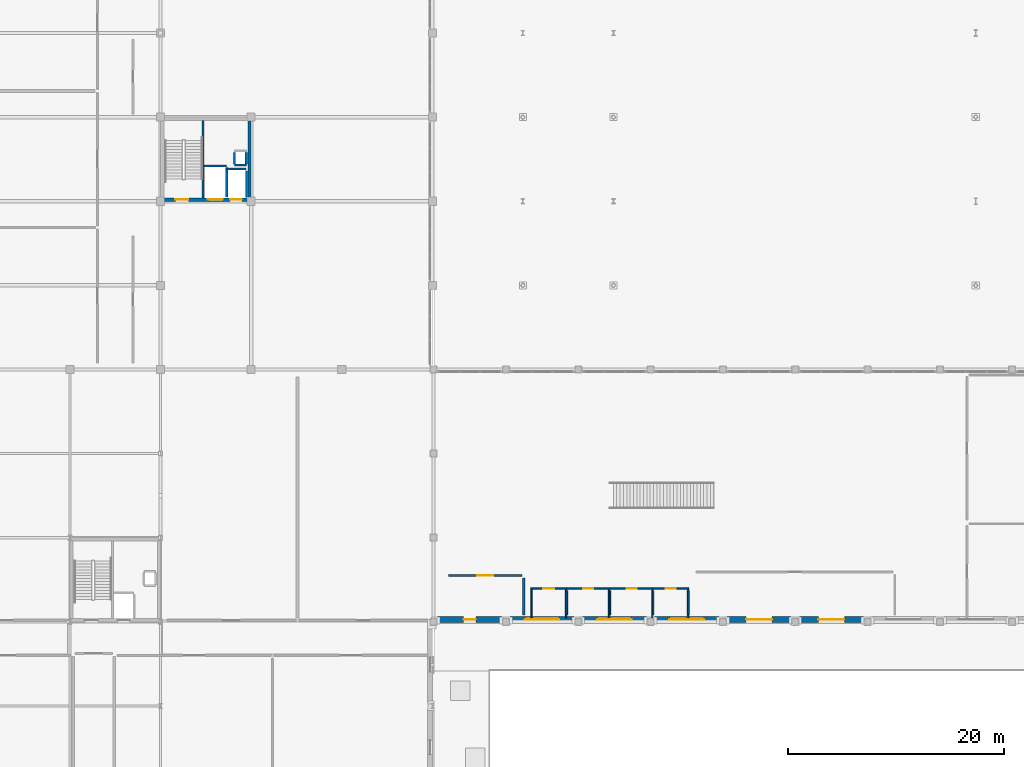
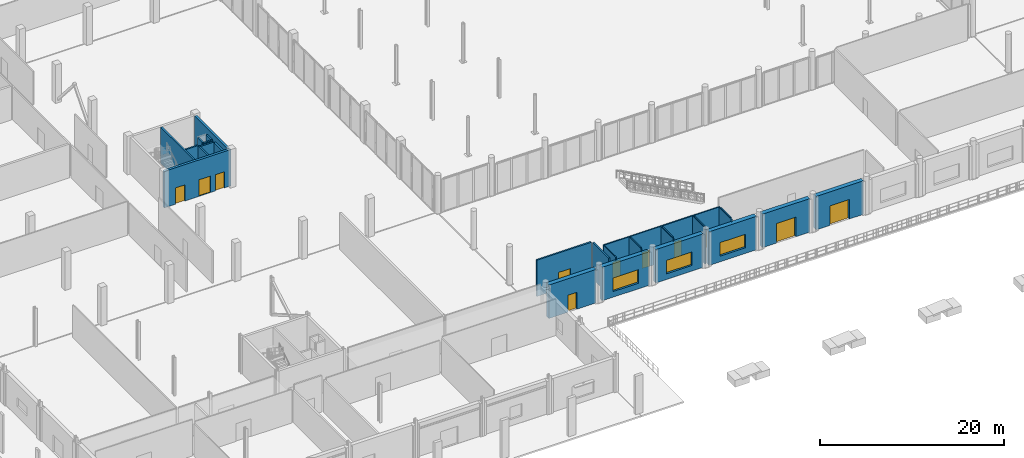
# One storey, part 48 of 80: 31 walls, 11 doors, 3 windows, 14 openings.
"""IFC4 building model written with IfcOpenShell, lengths in metres."""

import ifcopenshell
import ifcopenshell.guid

model = None  # the IFC model being written
_history = None  # IfcOwnerHistory: only IFC2X3 demands one
_inside = {}  # id of a spatial element -> (the spatial element, [elements in it])
_under = {}  # id of a project, library or spatial element -> (it, [spatial elements below it])
_declared = {}  # id of a project -> (the project, [libraries it declares])
_typed = {}  # id of a type object -> (the type object, [elements of that type])
_made_of = {}  # id of a material, layer set ... -> (it, [elements and type objects made of it])


def new_model(schema):
    """Start an empty IFC model of exactly this schema.

    Asked for "IFC4X3", IfcOpenShell would pick the latest addendum, in which some entities
    have other attributes; the version numbers below select the first issue.
    IFC2X3 requires an IfcOwnerHistory on every rooted entity: one is made here for all.
    """
    global model, _history
    if schema == "IFC4X3":
        model = ifcopenshell.file(schema_version=(4, 3, 0, 0))
    else:
        model = ifcopenshell.file(schema=schema)
    _inside.clear()
    _under.clear()
    _declared.clear()
    _typed.clear()
    _made_of.clear()
    _history = None
    if model.schema == "IFC2X3":
        org = make("IfcOrganization", Name="unknown")
        user = make(
            "IfcPersonAndOrganization",
            ThePerson=make("IfcPerson", FamilyName="unknown"),
            TheOrganization=org,
        )
        app = make(
            "IfcApplication",
            ApplicationDeveloper=org,
            Version="unknown",
            ApplicationFullName="unknown",
            ApplicationIdentifier="unknown",
        )
        _history = make(
            "IfcOwnerHistory",
            OwningUser=user,
            OwningApplication=app,
            ChangeAction="ADDED",
            CreationDate=0,
        )
    return model


def make(cls, **values):
    """One entity of the class cls with the attributes given. An attribute that is None is left unset."""
    return model.create_entity(
        cls, **{name: value for name, value in values.items() if value is not None}
    )


def rooted(cls, **values):
    """An entity with a GlobalId (a new one), such as an element, a storey or a relation."""
    return make(cls, GlobalId=ifcopenshell.guid.new(), OwnerHistory=_history, **values)


def si_unit(unit_type, name, prefix=None):
    """IfcSIUnit, for example si_unit("LENGTHUNIT", "METRE", prefix="MILLI")."""
    return make("IfcSIUnit", UnitType=unit_type, Prefix=prefix, Name=name)


def assignment(units):
    """IfcUnitAssignment: the units of a project."""
    return None if units is None else make("IfcUnitAssignment", Units=units)


def point(xyz):
    """IfcCartesianPoint."""
    return None if xyz is None else make("IfcCartesianPoint", Coordinates=xyz)


def direction(xyz):
    """IfcDirection."""
    return None if xyz is None else make("IfcDirection", DirectionRatios=xyz)


def frame(location, z_axis=None, x_axis=None):
    """IfcAxis2Placement3D, a coordinate frame: its origin and axes. An axis left out is left unset."""
    return make(
        "IfcAxis2Placement3D",
        Location=point(location),
        Axis=direction(z_axis),
        RefDirection=direction(x_axis),
    )


def frame_2d(location, x_axis=None):
    """IfcAxis2Placement2D, a coordinate frame in the plane: its origin and x axis."""
    return make(
        "IfcAxis2Placement2D", Location=point(location), RefDirection=direction(x_axis)
    )


def origin():
    """The frame at (0, 0, 0) with its axes left unset."""
    return frame((0.0, 0.0, 0.0))


def place(relative_to, where):
    """IfcLocalPlacement: puts the frame where relative to a parent placement (None: the world)."""
    return make(
        "IfcLocalPlacement", PlacementRelTo=relative_to, RelativePlacement=where
    )


def context(
    kind, dimensions, precision=None, world=None, true_north=None, identifier=None
):
    """IfcGeometricRepresentationContext, for example the 3D "Model" context."""
    return make(
        "IfcGeometricRepresentationContext",
        ContextIdentifier=identifier,
        ContextType=kind,
        CoordinateSpaceDimension=dimensions,
        Precision=precision,
        WorldCoordinateSystem=world,
        TrueNorth=true_north,
    )


def subcontext(parent, identifier, kind, view, scale=None):
    """IfcGeometricRepresentationSubContext, for example "Body" below "Model"."""
    return make(
        "IfcGeometricRepresentationSubContext",
        ContextIdentifier=identifier,
        ContextType=kind,
        ParentContext=parent,
        TargetScale=scale,
        TargetView=view,
    )


def project(units=None, contexts=None):
    """IfcProject with its units and contexts."""
    return rooted(
        "IfcProject",
        Name="project",
        RepresentationContexts=contexts,
        UnitsInContext=assignment(units),
    )


def spatial(cls, under=None, at=None, **own):
    """A site, building, storey or space (cls), placed at a placement, below another one or the project."""
    s = rooted(cls, ObjectPlacement=at, **own)
    if under is not None:
        _under.setdefault(under.id(), (under, []))[1].append(s)
    return s


def profile(cls, at=None, kind="AREA", **sizes):
    """A parametric profile (cls). Its sizes go by their IFC names, for example OverallWidth=200.0."""
    return make(cls, ProfileType=kind, Position=at, **sizes)


def rectangle(**sizes):
    """IfcRectangleProfileDef."""
    return profile("IfcRectangleProfileDef", **sizes)


def extrude(swept, where, along, depth):
    """IfcExtrudedAreaSolid: the profile swept, set in the frame where, extruded along a direction by depth."""
    return make(
        "IfcExtrudedAreaSolid",
        SweptArea=swept,
        Position=where,
        ExtrudedDirection=direction(along),
        Depth=depth,
    )


def shape(context_of_items, identifier, shape_type, items):
    """IfcShapeRepresentation: the items that make up one representation, for example the "Body"."""
    return make(
        "IfcShapeRepresentation",
        ContextOfItems=context_of_items,
        RepresentationIdentifier=identifier,
        RepresentationType=shape_type,
        Items=items,
    )


def material(Name=None, Category=None):
    """IfcMaterial."""
    return make("IfcMaterial", Name=Name, Category=Category)


def layer(
    of_material, thickness, ventilated=None, Name=None, Category=None, Priority=None
):
    """IfcMaterialLayer: one layer of a wall or slab, of a material (None: an air gap)."""
    return make(
        "IfcMaterialLayer",
        Material=of_material,
        LayerThickness=thickness,
        IsVentilated=ventilated,
        Name=Name,
        Category=Category,
        Priority=Priority,
    )


def layer_set(layers, Name=None):
    """IfcMaterialLayerSet."""
    return make("IfcMaterialLayerSet", MaterialLayers=layers, LayerSetName=Name)


def made_of(thing, what):
    """Note that an element or type object is made of a material, layer set ...; save() writes the relation."""
    if what is not None:
        _made_of.setdefault(what.id(), (what, []))[1].append(thing)
    return thing


def type_object(cls, material=None, **own):
    """A type object (cls), such as IfcWallType, which elements share."""
    return made_of(rooted(cls, **own), material)


def element(
    cls,
    number,
    at=None,
    inside=None,
    cuts=None,
    type_object=None,
    material=None,
    context=None,
    identifier="Body",
    shape_type=None,
    held_by="IfcProductDefinitionShape",
    body=None,
    shapes=None,
    **own,
):
    """One element of the class cls, such as IfcWall. Its Tag is "e" and its number.

    at: its placement. inside: the storey or other place that contains it. cuts: it is an
    opening in that element (IfcRelVoidsElement). A single representation is given by context,
    identifier, shape_type and body (its items); several are given by shapes. held_by: the class
    of the entity that holds the representations. save() writes the other relations.
    """
    e = rooted(cls, Tag="e%d" % number, ObjectPlacement=at, **own)
    if body is not None:
        shapes = [shape(context, identifier, shape_type, body)]
    if shapes is not None:
        e.Representation = make(held_by, Representations=shapes)
    if inside is not None:
        _inside.setdefault(inside.id(), (inside, []))[1].append(e)
    if cuts is not None:
        rooted(
            "IfcRelVoidsElement", RelatingBuildingElement=cuts, RelatedOpeningElement=e
        )
    if type_object is not None:
        _typed.setdefault(type_object.id(), (type_object, []))[1].append(e)
    return made_of(e, material)


def fill(opening, filler):
    """IfcRelFillsElement: the door or window that sits in an opening."""
    return rooted(
        "IfcRelFillsElement",
        RelatingOpeningElement=opening,
        RelatedBuildingElement=filler,
    )


def aggregate(whole, parts):
    """IfcRelAggregates: a whole, such as a stair, and the parts it consists of."""
    return rooted("IfcRelAggregates", RelatingObject=whole, RelatedObjects=parts)


def save(model, path):
    """Write the relations noted so far, then the file.

    IfcRelAggregates (storeys below a building ...), IfcRelContainedInSpatialStructure (elements
    in a storey), IfcRelDefinesByType, IfcRelAssociatesMaterial and IfcRelDeclares: one each for
    every whole, place, type object, material and project.
    """
    for whole, parts in _under.values():
        aggregate(whole, parts)
    for where, things in _inside.values():
        rooted(
            "IfcRelContainedInSpatialStructure",
            RelatedElements=things,
            RelatingStructure=where,
        )
    for kind, things in _typed.values():
        rooted("IfcRelDefinesByType", RelatedObjects=things, RelatingType=kind)
    for what, things in _made_of.values():
        rooted("IfcRelAssociatesMaterial", RelatedObjects=things, RelatingMaterial=what)
    for by, libraries in _declared.values():
        rooted("IfcRelDeclares", RelatingContext=by, RelatedDefinitions=libraries)
    model.write(path)


model = new_model("IFC4")

# Units and contexts
model_context = context("Model", 3, precision=1e-05, world=origin(), true_north=direction((0.0, 1.0)))
body_context = subcontext(model_context, "Body", "Model", "MODEL_VIEW")
ifc_project = project(units=[si_unit("LENGTHUNIT", "METRE"), si_unit("AREAUNIT", "SQUARE_METRE"), si_unit("VOLUMEUNIT", "CUBIC_METRE"), si_unit("PLANEANGLEUNIT", "RADIAN"), si_unit("MASSUNIT", "GRAM", prefix="KILO")], contexts=[model_context])

# Site, building, storey
site_placement = place(None, origin())
site = spatial("IfcSite", under=ifc_project, at=site_placement, CompositionType="ELEMENT")
building_placement = place(site_placement, origin())
building = spatial("IfcBuilding", under=site, at=building_placement, Name="Nabrawat Pavilion Hospital", CompositionType="ELEMENT")
storey_placement = place(building_placement, origin())
storey = spatial("IfcBuildingStorey", under=building, at=storey_placement, Name="L00", CompositionType="ELEMENT", Elevation=0.0)

# Wall, opening, door
ifc_material_1 = material(Name="Gypsum Fireboard on Steel Stud", Category="steel")
ifc_layer_1 = layer(ifc_material_1, 0.14990234375, Name="Gypsum Fireboard on Steel Stud")
ifc_layer_set_1 = layer_set([ifc_layer_1], Name="Gypsum Fireboard on Steel Stud")
wall_type_1 = type_object("IfcWallType", Name="Clinical Corridor Smoke-Barrier Wall 150", PredefinedType="PARTITIONING", material=ifc_layer_set_1)
wall_1_placement = place(storey_placement, frame((67.93505859375, 18.699951171875, 0.0), z_axis=(0.0, 0.0, 1.0), x_axis=(1.0, 0.0, 0.0)))
wall_1 = element("IfcWall", 1, at=wall_1_placement, inside=storey, type_object=wall_type_1, Name="L00 L00 Accessible WC Front Partition", PredefinedType="PARTITIONING", context=body_context, shape_type="SweptSolid", body=[
    extrude(rectangle(XDim=3.329833984375, YDim=0.14990234375, at=frame_2d((1.6650390625, 0.0))), origin(), (0.0, 0.0, 1.0), 4.820068359375),
])
opening_1_placement = place(wall_1_placement, frame((1.1650390625, 0.0, 0.0)))
opening_1 = element("IfcOpeningElement", 2, at=opening_1_placement, cuts=wall_1, Name="Opening D-WC-ACC", PredefinedType="OPENING", context=body_context, shape_type="SweptSolid", body=[
    extrude(rectangle(XDim=1.0, YDim=2.14990234375, at=frame_2d((0.5, 1.074951171875))), frame((0.0, 0.0849609375, 0.0), z_axis=(0.0, -1.0, 0.0), x_axis=(1.0, 0.0, 0.0)), (0.0, 0.0, 1.0), 0.169921875),
])
ifc_material_2 = material(Name="Stainless-Clad Acoustic Timber and Vision Glass", Category="wood")
door_type_1 = type_object("IfcDoorType", Name="Accessible Washroom Outward Door 1000x2150", OperationType="NOTDEFINED", PredefinedType="DOOR", material=ifc_material_2)
door_1_placement = place(opening_1_placement, origin())
door_1 = element("IfcDoor", 3, at=door_1_placement, inside=storey, type_object=door_type_1, Name="L00 Accessible WC Door", OperationType="SINGLE_SWING_LEFT", OverallHeight=2.14990234375, OverallWidth=1.0, PredefinedType="DOOR", context=body_context, shape_type="SweptSolid", body=[
    extrude(rectangle(XDim=1.0, YDim=2.14990234375, at=frame_2d((0.5, 1.074951171875))), frame((0.0, 0.02490234375, 0.0), z_axis=(0.0, -1.0, 0.0), x_axis=(1.0, 0.0, 0.0)), (0.0, 0.0, 1.0), 0.050048828125),
])
fill(opening_1, door_1)

wall_2_placement = place(storey_placement, frame((71.294921875, 18.699951171875, 0.0), z_axis=(0.0, 0.0, 1.0), x_axis=(1.0, 0.0, 0.0)))
wall_2 = element("IfcWall", 4, at=wall_2_placement, inside=storey, type_object=wall_type_1, Name="L00 L00 Visitor Female Washroom Front Partition", PredefinedType="PARTITIONING", context=body_context, shape_type="SweptSolid", body=[
    extrude(rectangle(XDim=3.969970703125, YDim=0.14990234375, at=frame_2d((1.98486328125, 0.0))), origin(), (0.0, 0.0, 1.0), 4.820068359375),
])
opening_2_placement = place(wall_2_placement, frame((1.52490234375, 0.0, 0.0)))
opening_2 = element("IfcOpeningElement", 5, at=opening_2_placement, cuts=wall_2, Name="Opening D-WC-STD", PredefinedType="OPENING", context=body_context, shape_type="SweptSolid", body=[
    extrude(rectangle(XDim=0.919921875, YDim=2.14990234375, at=frame_2d((0.4599609375, 1.074951171875))), frame((0.0, 0.0849609375, 0.0), z_axis=(0.0, -1.0, 0.0), x_axis=(1.0, 0.0, 0.0)), (0.0, 0.0, 1.0), 0.169921875),
])
door_type_2 = type_object("IfcDoorType", Name="Washroom Lobby Privacy Door 920x2150", OperationType="NOTDEFINED", PredefinedType="DOOR", material=ifc_material_2)
door_2_placement = place(opening_2_placement, origin())
door_2 = element("IfcDoor", 6, at=door_2_placement, inside=storey, type_object=door_type_2, Name="L00 Visitor Female Washroom Door", OperationType="SINGLE_SWING_RIGHT", OverallHeight=2.14990234375, OverallWidth=0.919921875, PredefinedType="DOOR", context=body_context, shape_type="SweptSolid", body=[
    extrude(rectangle(XDim=0.919921875, YDim=2.14990234375, at=frame_2d((0.4599609375, 1.074951171875))), frame((0.0, 0.02490234375, 0.0), z_axis=(0.0, -1.0, 0.0), x_axis=(1.0, 0.0, 0.0)), (0.0, 0.0, 1.0), 0.050048828125),
])
fill(opening_2, door_2)

wall_3_placement = place(storey_placement, frame((75.294921875, 18.699951171875, 0.0), z_axis=(0.0, 0.0, 1.0), x_axis=(1.0, 0.0, 0.0)))
wall_3 = element("IfcWall", 7, at=wall_3_placement, inside=storey, type_object=wall_type_1, Name="L00 L00 Visitor Male Washroom Front Partition", PredefinedType="PARTITIONING", context=body_context, shape_type="SweptSolid", body=[
    extrude(rectangle(XDim=3.969970703125, YDim=0.14990234375, at=frame_2d((1.98486328125, 0.0))), origin(), (0.0, 0.0, 1.0), 4.820068359375),
])
opening_3_placement = place(wall_3_placement, frame((1.52490234375, 0.0, 0.0)))
opening_3 = element("IfcOpeningElement", 8, at=opening_3_placement, cuts=wall_3, Name="Opening D-WC-STD", PredefinedType="OPENING", context=body_context, shape_type="SweptSolid", body=[
    extrude(rectangle(XDim=0.919921875, YDim=2.14990234375, at=frame_2d((0.4599609375, 1.074951171875))), frame((0.0, 0.0849609375, 0.0), z_axis=(0.0, -1.0, 0.0), x_axis=(1.0, 0.0, 0.0)), (0.0, 0.0, 1.0), 0.169921875),
])
door_3_placement = place(opening_3_placement, origin())
door_3 = element("IfcDoor", 9, at=door_3_placement, inside=storey, type_object=door_type_2, Name="L00 Visitor Male Washroom Door", OperationType="SINGLE_SWING_LEFT", OverallHeight=2.14990234375, OverallWidth=0.919921875, PredefinedType="DOOR", context=body_context, shape_type="SweptSolid", body=[
    extrude(rectangle(XDim=0.919921875, YDim=2.14990234375, at=frame_2d((0.4599609375, 1.074951171875))), frame((0.0, 0.02490234375, 0.0), z_axis=(0.0, -1.0, 0.0), x_axis=(1.0, 0.0, 0.0)), (0.0, 0.0, 1.0), 0.050048828125),
])
fill(opening_3, door_3)

wall_4_placement = place(storey_placement, frame((79.294921875, 18.699951171875, 0.0), z_axis=(0.0, 0.0, 1.0), x_axis=(1.0, 0.0, 0.0)))
wall_4 = element("IfcWall", 10, at=wall_4_placement, inside=storey, type_object=wall_type_1, Name="L00 L00 Clinical Staff WC Front Partition", PredefinedType="PARTITIONING", context=body_context, shape_type="SweptSolid", body=[
    extrude(rectangle(XDim=3.27001953125, YDim=0.14990234375, at=frame_2d((1.635009765625, 0.0))), origin(), (0.0, 0.0, 1.0), 4.820068359375),
])
opening_4_placement = place(wall_4_placement, frame((1.175048828125, 0.0, 0.0)))
opening_4 = element("IfcOpeningElement", 11, at=opening_4_placement, cuts=wall_4, Name="Opening D-WC-STD", PredefinedType="OPENING", context=body_context, shape_type="SweptSolid", body=[
    extrude(rectangle(XDim=0.919921875, YDim=2.14990234375, at=frame_2d((0.4599609375, 1.074951171875))), frame((0.0, 0.0849609375, 0.0), z_axis=(0.0, -1.0, 0.0), x_axis=(1.0, 0.0, 0.0)), (0.0, 0.0, 1.0), 0.169921875),
])
door_4_placement = place(opening_4_placement, origin())
door_4 = element("IfcDoor", 12, at=door_4_placement, inside=storey, type_object=door_type_2, Name="L00 Clinical Staff WC Door", OperationType="SINGLE_SWING_RIGHT", OverallHeight=2.14990234375, OverallWidth=0.919921875, PredefinedType="DOOR", context=body_context, shape_type="SweptSolid", body=[
    extrude(rectangle(XDim=0.919921875, YDim=2.14990234375, at=frame_2d((0.4599609375, 1.074951171875))), frame((0.0, 0.02490234375, 0.0), z_axis=(0.0, -1.0, 0.0), x_axis=(1.0, 0.0, 0.0)), (0.0, 0.0, 1.0), 0.050048828125),
])
fill(opening_4, door_4)

# Walls
ifc_material_3 = material(Name="Cement Board on Steel Stud", Category="steel")
ifc_layer_2 = layer(ifc_material_3, 0.1298828125, Name="Cement Board on Steel Stud")
ifc_layer_set_2 = layer_set([ifc_layer_2], Name="Cement Board on Steel Stud")
wall_type_2 = type_object("IfcWallType", Name="En-Suite Moisture-Resistant Partition 130", PredefinedType="PARTITIONING", material=ifc_layer_set_2)
for number, where, z_axis, x_axis, name in (
    (13, (68.0, 15.965087890625, 0.0), (0.0, 0.0, 1.0), (0.0, 1.0, 0.0), "L00 L00 Accessible WC West Partition"),
    (14, (71.199951171875, 15.965087890625, 0.0), (0.0, 0.0, 1.0), (0.0, 1.0, 0.0), "L00 L00 Accessible WC East Partition"),
):
    element("IfcWall", number, at=place(storey_placement, frame(where, z_axis=z_axis, x_axis=x_axis)), inside=storey, type_object=wall_type_2, Name=name, PredefinedType="PARTITIONING", context=body_context, shape_type="SweptSolid", body=[
        extrude(rectangle(XDim=2.669921875, YDim=0.1298828125, at=frame_2d((1.3349609375, 0.0))), origin(), (0.0, 0.0, 1.0), 4.820068359375),
    ])
wall_5_placement = place(storey_placement, frame((71.280029296875, 16.25, 0.0), z_axis=(0.0, 0.0, 1.0), x_axis=(0.0, 1.0, 0.0)))
element("IfcWall", 15, at=wall_5_placement, inside=storey, type_object=wall_type_2, Name="L00 L00 Accessible WC Dividing Partition", PredefinedType="PARTITIONING", context=body_context, shape_type="SweptSolid", body=[
    extrude(rectangle(XDim=2.22998046875, YDim=0.1298828125, at=frame_2d((1.114990234375, 0.0))), origin(), (0.0, 0.0, 1.0), 4.820068359375),
])
wall_6_placement = place(storey_placement, frame((75.199951171875, 15.965087890625, 0.0), z_axis=(0.0, 0.0, 1.0), x_axis=(0.0, 1.0, 0.0)))
element("IfcWall", 16, at=wall_6_placement, inside=storey, type_object=wall_type_2, Name="L00 L00 Visitor Female Washroom East Partition", PredefinedType="PARTITIONING", context=body_context, shape_type="SweptSolid", body=[
    extrude(rectangle(XDim=2.669921875, YDim=0.1298828125, at=frame_2d((1.3349609375, 0.0))), origin(), (0.0, 0.0, 1.0), 4.820068359375),
])
wall_7_placement = place(storey_placement, frame((75.280029296875, 16.25, 0.0), z_axis=(0.0, 0.0, 1.0), x_axis=(0.0, 1.0, 0.0)))
element("IfcWall", 17, at=wall_7_placement, inside=storey, type_object=wall_type_2, Name="L00 L00 Visitor Female Washroom Dividing Partition", PredefinedType="PARTITIONING", context=body_context, shape_type="SweptSolid", body=[
    extrude(rectangle(XDim=2.22998046875, YDim=0.1298828125, at=frame_2d((1.114990234375, 0.0))), origin(), (0.0, 0.0, 1.0), 4.820068359375),
])
wall_8_placement = place(storey_placement, frame((79.199951171875, 15.965087890625, 0.0), z_axis=(0.0, 0.0, 1.0), x_axis=(0.0, 1.0, 0.0)))
element("IfcWall", 18, at=wall_8_placement, inside=storey, type_object=wall_type_2, Name="L00 L00 Visitor Male Washroom East Partition", PredefinedType="PARTITIONING", context=body_context, shape_type="SweptSolid", body=[
    extrude(rectangle(XDim=2.669921875, YDim=0.1298828125, at=frame_2d((1.3349609375, 0.0))), origin(), (0.0, 0.0, 1.0), 4.820068359375),
])
wall_9_placement = place(storey_placement, frame((79.280029296875, 16.25, 0.0), z_axis=(0.0, 0.0, 1.0), x_axis=(0.0, 1.0, 0.0)))
element("IfcWall", 19, at=wall_9_placement, inside=storey, type_object=wall_type_2, Name="L00 L00 Visitor Male Washroom Dividing Partition", PredefinedType="PARTITIONING", context=body_context, shape_type="SweptSolid", body=[
    extrude(rectangle(XDim=2.22998046875, YDim=0.1298828125, at=frame_2d((1.114990234375, 0.0))), origin(), (0.0, 0.0, 1.0), 4.820068359375),
])
wall_10_placement = place(storey_placement, frame((82.5, 15.965087890625, 0.0), z_axis=(0.0, 0.0, 1.0), x_axis=(0.0, 1.0, 0.0)))
element("IfcWall", 20, at=wall_10_placement, inside=storey, type_object=wall_type_2, Name="L00 L00 Clinical Staff WC East Partition", PredefinedType="PARTITIONING", context=body_context, shape_type="SweptSolid", body=[
    extrude(rectangle(XDim=2.669921875, YDim=0.1298828125, at=frame_2d((1.3349609375, 0.0))), origin(), (0.0, 0.0, 1.0), 4.820068359375),
])
wall_11_placement = place(storey_placement, frame((82.580078125, 16.25, 0.0), z_axis=(0.0, 0.0, 1.0), x_axis=(0.0, 1.0, 0.0)))
element("IfcWall", 21, at=wall_11_placement, inside=storey, type_object=wall_type_2, Name="L00 L00 Clinical Staff WC Dividing Partition", PredefinedType="PARTITIONING", context=body_context, shape_type="SweptSolid", body=[
    extrude(rectangle(XDim=2.22998046875, YDim=0.1298828125, at=frame_2d((1.114990234375, 0.0))), origin(), (0.0, 0.0, 1.0), 4.820068359375),
])

# Wall, opening, door
ifc_material_4 = material(Name="Concrete C35/45", Category="concrete")
ifc_layer_3 = layer(ifc_material_4, 0.199951171875, Name="Concrete C35/45")
ifc_layer_set_3 = layer_set([ifc_layer_3], Name="Concrete C35/45")
wall_type_3 = type_object("IfcWallType", Name="Firefighting Lobby Compartment Wall 200", PredefinedType="PARTITIONING", material=ifc_layer_set_3)
wall_12_placement = place(storey_placement, frame((60.280029296875, 19.89990234375, 0.0), z_axis=(0.0, 0.0, 1.0), x_axis=(1.0, 0.0, 0.0)))
wall_12 = element("IfcWall", 22, at=wall_12_placement, inside=storey, type_object=wall_type_3, Name="L00 Fire Command Centre Front Partition", PredefinedType="PARTITIONING", context=body_context, shape_type="SweptSolid", body=[
    extrude(rectangle(XDim=6.840087890625, YDim=0.199951171875, at=frame_2d((3.419921875, 0.0))), origin(), (0.0, 0.0, 1.0), 4.820068359375),
])
opening_5_placement = place(wall_12_placement, frame((2.669921875, 0.0, 0.0)))
opening_5 = element("IfcOpeningElement", 23, at=opening_5_placement, cuts=wall_12, Name="Opening D-PLANT", PredefinedType="OPENING", context=body_context, shape_type="SweptSolid", body=[
    extrude(rectangle(XDim=1.5, YDim=2.25, at=frame_2d((0.75, 1.125))), frame((0.0, 0.10986328125, 0.0), z_axis=(0.0, -1.0, 0.0), x_axis=(1.0, 0.0, 0.0)), (0.0, 0.0, 1.0), 0.219970703125),
])
door_type_3 = type_object("IfcDoorType", Name="D-PLANT Heavy Plant Room Steel Fire Door 1500x2250", OperationType="NOTDEFINED", PredefinedType="DOOR", material=ifc_material_2)
door_5_placement = place(opening_5_placement, origin())
door_5 = element("IfcDoor", 24, at=door_5_placement, inside=storey, type_object=door_type_3, Name="Fire Command Centre Door", OperationType="DOUBLE_DOOR_SINGLE_SWING", OverallHeight=2.25, OverallWidth=1.5, PredefinedType="DOOR", context=body_context, shape_type="SweptSolid", body=[
    extrude(rectangle(XDim=1.5, YDim=2.25, at=frame_2d((0.75, 1.125))), frame((0.0, 0.02490234375, 0.0), z_axis=(0.0, -1.0, 0.0), x_axis=(1.0, 0.0, 0.0)), (0.0, 0.0, 1.0), 0.050048828125),
])
fill(opening_5, door_5)

# Walls
wall_13_placement = place(storey_placement, frame((67.280029296875, 16.25, 0.0), z_axis=(0.0, 0.0, 1.0), x_axis=(0.0, 1.0, 0.0)))
element("IfcWall", 25, at=wall_13_placement, inside=storey, type_object=wall_type_3, Name="L00 Fire Command Centre Dividing Partition", PredefinedType="PARTITIONING", context=body_context, shape_type="SweptSolid", body=[
    extrude(rectangle(XDim=3.429931640625, YDim=0.199951171875, at=frame_2d((1.71484375, 0.0))), origin(), (0.0, 0.0, 1.0), 4.820068359375),
])
ifc_layer_4 = layer(ifc_material_4, 0.199951171875, Name="Concrete C35/45")
ifc_layer_set_4 = layer_set([ifc_layer_4], Name="Concrete C35/45")
wall_type_4 = type_object("IfcWallType", Name="Lift and Riser Fire Shaft Wall 200", PredefinedType="PARTITIONING", material=ifc_layer_set_4)
wall_14_placement = place(storey_placement, frame((37.550048828125, 54.919921875, 0.0), z_axis=(0.0, 0.0, 1.0), x_axis=(0.0, 1.0, 0.0)))
element("IfcWall", 26, at=wall_14_placement, inside=storey, type_object=wall_type_4, Name="L00 CORE-2 Stair-Lift Dividing Shear Wall", PredefinedType="SHEAR", context=body_context, shape_type="SweptSolid", body=[
    extrude(rectangle(XDim=7.16015625, YDim=0.199951171875, at=frame_2d((3.580078125, 0.0))), origin(), (0.0, 0.0, 1.0), 4.830078125),
])
wall_15_placement = place(storey_placement, frame((40.449951171875, 57.949951171875, 0.0), z_axis=(0.0, 0.0, 1.0), x_axis=(1.0, 0.0, 0.0)))
element("IfcWall", 27, at=wall_15_placement, inside=storey, type_object=wall_type_4, Name="L00 CORE-2 MEP Riser Shaft Wall S", PredefinedType="PARTITIONING", context=body_context, shape_type="SweptSolid", body=[
    extrude(rectangle(XDim=1.10009765625, YDim=0.199951171875, at=frame_2d((0.550048828125, 0.0))), origin(), (0.0, 0.0, 1.0), 4.2099609375),
])
for number, where, z_axis, x_axis, name in (
    (28, (40.449951171875, 58.070068359375, 0.0), (0.0, 0.0, 1.0), (0.0, 1.0, 0.0), "L00 CORE-2 MEP Riser Shaft Wall W"),
    (29, (41.550048828125, 58.070068359375, 0.0), (0.0, 0.0, 1.0), (0.0, 1.0, 0.0), "L00 CORE-2 MEP Riser Shaft Wall E"),
):
    element("IfcWall", number, at=place(storey_placement, frame(where, z_axis=z_axis, x_axis=x_axis)), inside=storey, type_object=wall_type_4, Name=name, PredefinedType="PARTITIONING", context=body_context, shape_type="SweptSolid", body=[
        extrude(rectangle(XDim=1.059814453125, YDim=0.199951171875, at=frame_2d((0.52978515625, 0.0))), origin(), (0.0, 0.0, 1.0), 4.2099609375),
    ])
wall_16_placement = place(storey_placement, frame((39.739990234375, 54.97998046875, 0.0), z_axis=(0.0, 0.0, 1.0), x_axis=(0.0, 1.0, 0.0)))
element("IfcWall", 30, at=wall_16_placement, inside=storey, type_object=wall_type_4, Name="L00 Lift LB-01 Shaft East Wall", PredefinedType="PARTITIONING", context=body_context, shape_type="SweptSolid", body=[
    extrude(rectangle(XDim=2.739990234375, YDim=0.199951171875, at=frame_2d((1.3701171875, 0.0))), origin(), (0.0, 0.0, 1.0), 4.2099609375),
])
wall_17_placement = place(storey_placement, frame((37.64990234375, 57.8798828125, 0.0), z_axis=(0.0, 0.0, 1.0), x_axis=(1.0, 0.0, 0.0)))
element("IfcWall", 31, at=wall_17_placement, inside=storey, type_object=wall_type_4, Name="L00 Lift LB-01 Shaft Back Wall", PredefinedType="PARTITIONING", context=body_context, shape_type="SweptSolid", body=[
    extrude(rectangle(XDim=2.06005859375, YDim=0.199951171875, at=frame_2d((1.030029296875, 0.0))), origin(), (0.0, 0.0, 1.0), 4.2099609375),
])
wall_18_placement = place(storey_placement, frame((41.56005859375, 54.97998046875, 0.0), z_axis=(0.0, 0.0, 1.0), x_axis=(0.0, 1.0, 0.0)))
element("IfcWall", 32, at=wall_18_placement, inside=storey, type_object=wall_type_4, Name="L00 Lift LS-01 Shaft East Wall", PredefinedType="PARTITIONING", context=body_context, shape_type="SweptSolid", body=[
    extrude(rectangle(XDim=2.43994140625, YDim=0.199951171875, at=frame_2d((1.219970703125, 0.0))), origin(), (0.0, 0.0, 1.0), 4.2099609375),
])
wall_19_placement = place(storey_placement, frame((39.669921875, 57.580078125, 0.0), z_axis=(0.0, 0.0, 1.0), x_axis=(1.0, 0.0, 0.0)))
element("IfcWall", 33, at=wall_19_placement, inside=storey, type_object=wall_type_4, Name="L00 Lift LS-01 Shaft Back Wall", PredefinedType="PARTITIONING", context=body_context, shape_type="SweptSolid", body=[
    extrude(rectangle(XDim=1.860107421875, YDim=0.199951171875, at=frame_2d((0.93017578125, 0.0))), origin(), (0.0, 0.0, 1.0), 4.2099609375),
])

# Wall, opening, door
ifc_material_5 = material(Name="Precast concrete C40/50", Category="concrete")
ifc_layer_5 = layer(ifc_material_5, 0.5400390625, Name="Precast concrete C40/50")
ifc_layer_set_5 = layer_set([ifc_layer_5], Name="Precast concrete C40/50")
wall_type_5 = type_object("IfcWallType", Name="Podium Monumental Limestone-Clad Wall 540", PredefinedType="SOLIDWALL", material=ifc_layer_set_5)
wall_20_placement = place(storey_placement, frame((59.304931640625, 15.820068359375, 0.0), z_axis=(0.0, 0.0, 1.0), x_axis=(1.0, 0.0, 0.0)))
wall_20 = element("IfcWall", 34, at=wall_20_placement, inside=storey, type_object=wall_type_5, Name="L00 Main Concourse Limestone Portal Wall 116", PredefinedType="SOLIDWALL", context=body_context, shape_type="SweptSolid", body=[
    extrude(rectangle(XDim=5.93798828125, YDim=0.5400390625, at=frame_2d((2.968994140625, 0.0))), origin(), (0.0, 0.0, 1.0), 4.43994140625),
])
opening_6_placement = place(wall_20_placement, frame((2.39404296875, 0.0, 0.0)))
opening_6 = element("IfcOpeningElement", 35, at=opening_6_placement, cuts=wall_20, Name="Opening ED-FCC-115", PredefinedType="OPENING", context=body_context, shape_type="SweptSolid", body=[
    extrude(rectangle(XDim=1.14990234375, YDim=2.25, at=frame_2d((0.574951171875, 1.125))), frame((0.0, 0.280029296875, 0.0), z_axis=(0.0, -1.0, 0.0), x_axis=(1.0, 0.0, 0.0)), (0.0, 0.0, 1.0), 0.56005859375),
])
ifc_material_6 = material(Name="Powder-Coated Galvanised Steel and Safety Glass", Category="steel")
door_type_4 = type_object("IfcDoorType", Name="Fire Command Exterior Direct Door 1150x2250", OperationType="NOTDEFINED", PredefinedType="DOOR", material=ifc_material_6)
door_6_placement = place(opening_6_placement, frame((1.14990234375, 0.0, 0.0), z_axis=(0.0, 0.0, 1.0), x_axis=(-1.0, 0.0, 0.0)))
door_6 = element("IfcDoor", 36, at=door_6_placement, inside=storey, type_object=door_type_4, Name="L00 Fire Command Centre Direct Exterior Door", OperationType="SINGLE_SWING_RIGHT", OverallHeight=2.25, OverallWidth=1.14990234375, PredefinedType="DOOR", context=body_context, shape_type="SweptSolid", body=[
    extrude(rectangle(XDim=1.14990234375, YDim=2.25, at=frame_2d((0.574951171875, 1.125))), frame((0.0, 0.02490234375, 0.0), z_axis=(0.0, -1.0, 0.0), x_axis=(1.0, 0.0, 0.0)), (0.0, 0.0, 1.0), 0.050048828125),
])
fill(opening_6, door_6)

# Wall, opening, window
wall_21_placement = place(storey_placement, frame((66.012939453125, 15.820068359375, 0.0), z_axis=(0.0, 0.0, 1.0), x_axis=(1.0, 0.0, 0.0)))
wall_21 = element("IfcWall", 37, at=wall_21_placement, inside=storey, type_object=wall_type_5, Name="L00 Main Concourse Limestone Portal Wall 117", PredefinedType="SOLIDWALL", context=body_context, shape_type="SweptSolid", body=[
    extrude(rectangle(XDim=5.93798828125, YDim=0.5400390625, at=frame_2d((2.968994140625, 0.0))), origin(), (0.0, 0.0, 1.0), 4.449951171875),
])
opening_7_placement = place(wall_21_placement, frame((1.368896484375, 0.0, 0.75)))
opening_7 = element("IfcOpeningElement", 38, at=opening_7_placement, cuts=wall_21, Name="Opening WN-26", PredefinedType="OPENING", context=body_context, shape_type="SweptSolid", body=[
    extrude(rectangle(XDim=3.199951171875, YDim=1.800048828125, at=frame_2d((1.60009765625, 0.89990234375))), frame((0.0, 0.280029296875, 0.0), z_axis=(0.0, -1.0, 0.0), x_axis=(1.0, 0.0, 0.0)), (0.0, 0.0, 1.0), 0.56005859375),
])
ifc_material_7 = material(Name="Thermally Broken Aluminium and Solar Glass", Category="aluminium")
window_type = type_object("IfcWindowType", Name="Dayroom Picture Window 3200x1800", PartitioningType="SINGLE_PANEL", PredefinedType="WINDOW", material=ifc_material_7)
window_1_placement = place(opening_7_placement, origin())
window_1 = element("IfcWindow", 39, at=window_1_placement, inside=storey, type_object=window_type, Name="L00 Main Concourse Portal Window 031", OverallHeight=1.800048828125, OverallWidth=3.199951171875, PartitioningType="SINGLE_PANEL", PredefinedType="WINDOW", context=body_context, shape_type="SweptSolid", body=[
    extrude(rectangle(XDim=3.199951171875, YDim=1.800048828125, at=frame_2d((1.60009765625, 0.89990234375))), frame((0.0, 0.030029296875, 0.0), z_axis=(0.0, -1.0, 0.0), x_axis=(1.0, 0.0, 0.0)), (0.0, 0.0, 1.0), 0.06005859375),
])
fill(opening_7, window_1)

wall_22_placement = place(storey_placement, frame((72.720947265625, 15.820068359375, 0.0), z_axis=(0.0, 0.0, 1.0), x_axis=(1.0, 0.0, 0.0)))
wall_22 = element("IfcWall", 40, at=wall_22_placement, inside=storey, type_object=wall_type_5, Name="L00 Main Concourse Limestone Portal Wall 118", PredefinedType="SOLIDWALL", context=body_context, shape_type="SweptSolid", body=[
    extrude(rectangle(XDim=5.93798828125, YDim=0.5400390625, at=frame_2d((2.968994140625, 0.0))), origin(), (0.0, 0.0, 1.0), 4.449951171875),
])
opening_8_placement = place(wall_22_placement, frame((1.368896484375, 0.0, 0.75)))
opening_8 = element("IfcOpeningElement", 41, at=opening_8_placement, cuts=wall_22, Name="Opening WN-26", PredefinedType="OPENING", context=body_context, shape_type="SweptSolid", body=[
    extrude(rectangle(XDim=3.199951171875, YDim=1.800048828125, at=frame_2d((1.60009765625, 0.89990234375))), frame((0.0, 0.280029296875, 0.0), z_axis=(0.0, -1.0, 0.0), x_axis=(1.0, 0.0, 0.0)), (0.0, 0.0, 1.0), 0.56005859375),
])
window_2_placement = place(opening_8_placement, origin())
window_2 = element("IfcWindow", 42, at=window_2_placement, inside=storey, type_object=window_type, Name="L00 Main Concourse Portal Window 032", OverallHeight=1.800048828125, OverallWidth=3.199951171875, PartitioningType="SINGLE_PANEL", PredefinedType="WINDOW", context=body_context, shape_type="SweptSolid", body=[
    extrude(rectangle(XDim=3.199951171875, YDim=1.800048828125, at=frame_2d((1.60009765625, 0.89990234375))), frame((0.0, 0.030029296875, 0.0), z_axis=(0.0, -1.0, 0.0), x_axis=(1.0, 0.0, 0.0)), (0.0, 0.0, 1.0), 0.06005859375),
])
fill(opening_8, window_2)

wall_23_placement = place(storey_placement, frame((79.428955078125, 15.820068359375, 0.0), z_axis=(0.0, 0.0, 1.0), x_axis=(1.0, 0.0, 0.0)))
wall_23 = element("IfcWall", 43, at=wall_23_placement, inside=storey, type_object=wall_type_5, Name="L00 Main Concourse Limestone Portal Wall 119", PredefinedType="SOLIDWALL", context=body_context, shape_type="SweptSolid", body=[
    extrude(rectangle(XDim=5.93798828125, YDim=0.5400390625, at=frame_2d((2.968994140625, 0.0))), origin(), (0.0, 0.0, 1.0), 4.449951171875),
])
opening_9_placement = place(wall_23_placement, frame((1.368896484375, 0.0, 0.75)))
opening_9 = element("IfcOpeningElement", 44, at=opening_9_placement, cuts=wall_23, Name="Opening WN-26", PredefinedType="OPENING", context=body_context, shape_type="SweptSolid", body=[
    extrude(rectangle(XDim=3.199951171875, YDim=1.800048828125, at=frame_2d((1.60009765625, 0.89990234375))), frame((0.0, 0.280029296875, 0.0), z_axis=(0.0, -1.0, 0.0), x_axis=(1.0, 0.0, 0.0)), (0.0, 0.0, 1.0), 0.56005859375),
])
window_3_placement = place(opening_9_placement, origin())
window_3 = element("IfcWindow", 45, at=window_3_placement, inside=storey, type_object=window_type, Name="L00 Main Concourse Portal Window 033", OverallHeight=1.800048828125, OverallWidth=3.199951171875, PartitioningType="SINGLE_PANEL", PredefinedType="WINDOW", context=body_context, shape_type="SweptSolid", body=[
    extrude(rectangle(XDim=3.199951171875, YDim=1.800048828125, at=frame_2d((1.60009765625, 0.89990234375))), frame((0.0, 0.030029296875, 0.0), z_axis=(0.0, -1.0, 0.0), x_axis=(1.0, 0.0, 0.0)), (0.0, 0.0, 1.0), 0.06005859375),
])
fill(opening_9, window_3)

# Wall, opening, door
wall_24_placement = place(storey_placement, frame((86.136962890625, 15.820068359375, 0.0), z_axis=(0.0, 0.0, 1.0), x_axis=(1.0, 0.0, 0.0)))
wall_24 = element("IfcWall", 46, at=wall_24_placement, inside=storey, type_object=wall_type_5, Name="L00 Main Concourse Limestone Portal Wall 120", PredefinedType="SOLIDWALL", context=body_context, shape_type="SweptSolid", body=[
    extrude(rectangle(XDim=5.93798828125, YDim=0.5400390625, at=frame_2d((2.968994140625, 0.0))), origin(), (0.0, 0.0, 1.0), 4.449951171875),
])
opening_10_placement = place(wall_24_placement, frame((1.76904296875, 0.0, 0.0)))
opening_10 = element("IfcOpeningElement", 47, at=opening_10_placement, cuts=wall_24, Name="Opening ED-MAIN-240", PredefinedType="OPENING", context=body_context, shape_type="SweptSolid", body=[
    extrude(rectangle(XDim=2.39990234375, YDim=2.60009765625, at=frame_2d((1.199951171875, 1.300048828125))), frame((0.0, 0.280029296875, 0.0), z_axis=(0.0, -1.0, 0.0), x_axis=(1.0, 0.0, 0.0)), (0.0, 0.0, 1.0), 0.56005859375),
])
door_type_5 = type_object("IfcDoorType", Name="Main Concourse Double Entrance Door 2400x2600", OperationType="NOTDEFINED", PredefinedType="DOOR", material=ifc_material_6)
door_7_placement = place(opening_10_placement, frame((2.39990234375, 0.0, 0.0), z_axis=(0.0, 0.0, 1.0), x_axis=(-1.0, 0.0, 0.0)))
door_7 = element("IfcDoor", 48, at=door_7_placement, inside=storey, type_object=door_type_5, Name="L00 Main Concourse Entrance Double Door 01", OperationType="DOUBLE_DOOR_SINGLE_SWING", OverallHeight=2.60009765625, OverallWidth=2.39990234375, PredefinedType="DOOR", context=body_context, shape_type="SweptSolid", body=[
    extrude(rectangle(XDim=2.39990234375, YDim=2.60009765625, at=frame_2d((1.199951171875, 1.300048828125))), frame((0.0, 0.02490234375, 0.0), z_axis=(0.0, -1.0, 0.0), x_axis=(1.0, 0.0, 0.0)), (0.0, 0.0, 1.0), 0.050048828125),
])
fill(opening_10, door_7)

wall_25_placement = place(storey_placement, frame((92.844970703125, 15.820068359375, 0.0), z_axis=(0.0, 0.0, 1.0), x_axis=(1.0, 0.0, 0.0)))
wall_25 = element("IfcWall", 49, at=wall_25_placement, inside=storey, type_object=wall_type_5, Name="L00 Main Concourse Limestone Portal Wall 121", PredefinedType="SOLIDWALL", context=body_context, shape_type="SweptSolid", body=[
    extrude(rectangle(XDim=5.93798828125, YDim=0.5400390625, at=frame_2d((2.968994140625, 0.0))), origin(), (0.0, 0.0, 1.0), 4.449951171875),
])
opening_11_placement = place(wall_25_placement, frame((1.76904296875, 0.0, 0.0)))
opening_11 = element("IfcOpeningElement", 50, at=opening_11_placement, cuts=wall_25, Name="Opening ED-MAIN-240", PredefinedType="OPENING", context=body_context, shape_type="SweptSolid", body=[
    extrude(rectangle(XDim=2.39990234375, YDim=2.60009765625, at=frame_2d((1.199951171875, 1.300048828125))), frame((0.0, 0.280029296875, 0.0), z_axis=(0.0, -1.0, 0.0), x_axis=(1.0, 0.0, 0.0)), (0.0, 0.0, 1.0), 0.56005859375),
])
door_8_placement = place(opening_11_placement, frame((2.39990234375, 0.0, 0.0), z_axis=(0.0, 0.0, 1.0), x_axis=(-1.0, 0.0, 0.0)))
door_8 = element("IfcDoor", 51, at=door_8_placement, inside=storey, type_object=door_type_5, Name="L00 Main Concourse Entrance Double Door 02", OperationType="DOUBLE_DOOR_SINGLE_SWING", OverallHeight=2.60009765625, OverallWidth=2.39990234375, PredefinedType="DOOR", context=body_context, shape_type="SweptSolid", body=[
    extrude(rectangle(XDim=2.39990234375, YDim=2.60009765625, at=frame_2d((1.199951171875, 1.300048828125))), frame((0.0, 0.02490234375, 0.0), z_axis=(0.0, -1.0, 0.0), x_axis=(1.0, 0.0, 0.0)), (0.0, 0.0, 1.0), 0.050048828125),
])
fill(opening_11, door_8)

# Wall, openings, doors
ifc_material_8 = material(Name="Concrete C40/50", Category="concrete")
ifc_layer_6 = layer(ifc_material_8, 0.300048828125, Name="Concrete C40/50")
ifc_layer_set_6 = layer_set([ifc_layer_6], Name="Concrete C40/50")
wall_type_6 = type_object("IfcWallType", Name="Reinforced Concrete Core Shear Wall 300", PredefinedType="SHEAR", material=ifc_layer_set_6)
wall_26_placement = place(storey_placement, frame((33.60009765625, 54.75, 0.0), z_axis=(0.0, 0.0, 1.0), x_axis=(1.0, 0.0, 0.0)))
wall_26 = element("IfcWall", 52, at=wall_26_placement, inside=storey, type_object=wall_type_6, Name="L00 CORE-2 South Core Shear Wall", PredefinedType="SHEAR", context=body_context, shape_type="SweptSolid", body=[
    extrude(rectangle(XDim=8.39990234375, YDim=0.300048828125, at=frame_2d((4.199951171875, 0.0))), origin(), (0.0, 0.0, 1.0), 4.830078125),
])
opening_12_placement = place(wall_26_placement, frame((1.3798828125, 0.0, 0.0)))
opening_12 = element("IfcOpeningElement", 53, at=opening_12_placement, cuts=wall_26, Name="Opening D-STAIR", PredefinedType="OPENING", context=body_context, shape_type="SweptSolid", body=[
    extrude(rectangle(XDim=1.199951171875, YDim=2.14990234375, at=frame_2d((0.60009765625, 1.074951171875))), frame((0.0, 0.16015625, 0.0), z_axis=(0.0, -1.0, 0.0), x_axis=(1.0, 0.0, 0.0)), (0.0, 0.0, 1.0), 0.320068359375),
])
opening_13_placement = place(wall_26_placement, frame((4.3798828125, 0.0, 0.0)))
opening_13 = element("IfcOpeningElement", 54, at=opening_13_placement, cuts=wall_26, Name="Opening LD-LB-01", PredefinedType="OPENING", context=body_context, shape_type="SweptSolid", body=[
    extrude(rectangle(XDim=1.39990234375, YDim=2.199951171875, at=frame_2d((0.699951171875, 1.10009765625))), frame((0.0, 0.16015625, 0.0), z_axis=(0.0, -1.0, 0.0), x_axis=(1.0, 0.0, 0.0)), (0.0, 0.0, 1.0), 0.320068359375),
])
opening_14_placement = place(wall_26_placement, frame((6.449951171875, 0.0, 0.0)))
opening_14 = element("IfcOpeningElement", 55, at=opening_14_placement, cuts=wall_26, Name="Opening LD-LS-01", PredefinedType="OPENING", context=body_context, shape_type="SweptSolid", body=[
    extrude(rectangle(XDim=1.10009765625, YDim=2.14990234375, at=frame_2d((0.550048828125, 1.074951171875))), frame((0.0, 0.16015625, 0.0), z_axis=(0.0, -1.0, 0.0), x_axis=(1.0, 0.0, 0.0)), (0.0, 0.0, 1.0), 0.320068359375),
])
door_type_6 = type_object("IfcDoorType", Name="D-STAIR Exit Stair Fire Door 1200x2150", OperationType="NOTDEFINED", PredefinedType="DOOR", material=ifc_material_2)
door_9_placement = place(opening_12_placement, origin())
door_9 = element("IfcDoor", 56, at=door_9_placement, inside=storey, type_object=door_type_6, Name="L00 ST-02 Fire Exit Stair Door", OperationType="SINGLE_SWING_LEFT", OverallHeight=2.14990234375, OverallWidth=1.199951171875, PredefinedType="DOOR", context=body_context, shape_type="SweptSolid", body=[
    extrude(rectangle(XDim=1.199951171875, YDim=2.14990234375, at=frame_2d((0.60009765625, 1.074951171875))), frame((0.0, 0.02490234375, 0.0), z_axis=(0.0, -1.0, 0.0), x_axis=(1.0, 0.0, 0.0)), (0.0, 0.0, 1.0), 0.050048828125),
])
fill(opening_12, door_9)
door_type_7 = type_object("IfcDoorType", Name="Hospital Bed Lift Sliding Landing Door 1400x2200", OperationType="DOUBLE_DOOR_SLIDING", PredefinedType="DOOR", material=ifc_material_2)
door_10_placement = place(opening_13_placement, origin())
door_10 = element("IfcDoor", 57, at=door_10_placement, inside=storey, type_object=door_type_7, Name="L00 Lift LB-01 Sliding Landing Door", OperationType="DOUBLE_DOOR_SLIDING", OverallHeight=2.199951171875, OverallWidth=1.39990234375, PredefinedType="DOOR", context=body_context, shape_type="SweptSolid", body=[
    extrude(rectangle(XDim=1.39990234375, YDim=2.199951171875, at=frame_2d((0.699951171875, 1.10009765625))), frame((0.0, 0.02490234375, 0.0), z_axis=(0.0, -1.0, 0.0), x_axis=(1.0, 0.0, 0.0)), (0.0, 0.0, 1.0), 0.050048828125),
])
fill(opening_13, door_10)
door_type_8 = type_object("IfcDoorType", Name="Passenger Lift Sliding Landing Door 1100x2150", OperationType="DOUBLE_DOOR_SLIDING", PredefinedType="DOOR", material=ifc_material_2)
door_11_placement = place(opening_14_placement, origin())
door_11 = element("IfcDoor", 58, at=door_11_placement, inside=storey, type_object=door_type_8, Name="L00 Lift LS-01 Sliding Landing Door", OperationType="DOUBLE_DOOR_SLIDING", OverallHeight=2.14990234375, OverallWidth=1.10009765625, PredefinedType="DOOR", context=body_context, shape_type="SweptSolid", body=[
    extrude(rectangle(XDim=1.10009765625, YDim=2.14990234375, at=frame_2d((0.550048828125, 1.074951171875))), frame((0.0, 0.02490234375, 0.0), z_axis=(0.0, -1.0, 0.0), x_axis=(1.0, 0.0, 0.0)), (0.0, 0.0, 1.0), 0.050048828125),
])
fill(opening_14, door_11)

# Wall
wall_27_placement = place(storey_placement, frame((41.85009765625, 54.89990234375, 0.0), z_axis=(0.0, 0.0, 1.0), x_axis=(0.0, 1.0, 0.0)))
element("IfcWall", 59, at=wall_27_placement, inside=storey, type_object=wall_type_6, Name="L00 CORE-2 East Core Shear Wall", PredefinedType="SHEAR", context=body_context, shape_type="SweptSolid", body=[
    extrude(rectangle(XDim=7.2001953125, YDim=0.300048828125, at=frame_2d((3.60009765625, 0.0))), origin(), (0.0, 0.0, 1.0), 4.830078125),
])

save(model, "model.ifc")
